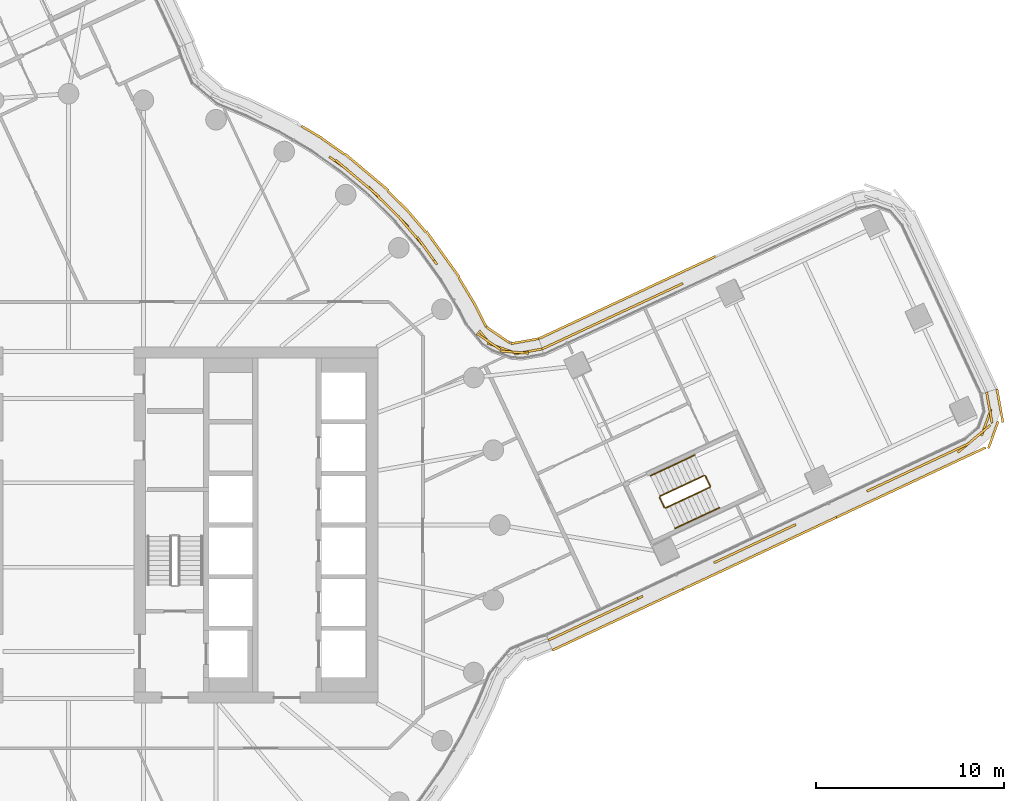
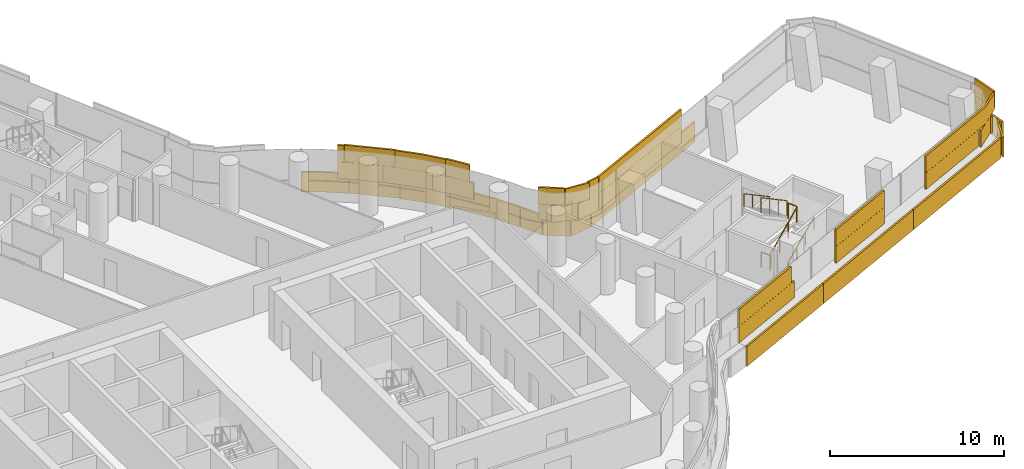
# One storey, part 33 of 36: 6 railings, 5 coverings.
"""IFC4 building model written with IfcOpenShell, lengths in metres."""

from ifc_helpers import new_model, si_unit, direction, frame, origin, origin_2d, place, context, subcontext, project, spatial, rectangle, circle, extrude, material, layer, layer_set, type_object, element, save


model = new_model("IFC4")

# Units and contexts
model_context = context("Model", 3, precision=1e-05, world=origin(), true_north=direction((0.0, 1.0)))
body_context = subcontext(model_context, "Body", "Model", "MODEL_VIEW")
ifc_project = project(units=[si_unit("LENGTHUNIT", "METRE"), si_unit("AREAUNIT", "SQUARE_METRE"), si_unit("VOLUMEUNIT", "CUBIC_METRE"), si_unit("PLANEANGLEUNIT", "RADIAN"), si_unit("MASSUNIT", "GRAM", prefix="KILO")], contexts=[model_context])

# Site, building, storey
site_placement = place(None, origin())
site = spatial("IfcSite", under=ifc_project, at=site_placement, CompositionType="ELEMENT")
building_placement = place(site_placement, origin())
building = spatial("IfcBuilding", under=site, at=building_placement, Name="Tamarind Cross Interchange Tower", CompositionType="ELEMENT")
storey_placement = place(building_placement, frame((0.0, 0.0, 124.75)))
storey = spatial("IfcBuildingStorey", under=building, at=storey_placement, Name="L30", CompositionType="ELEMENT", Elevation=124.75)

# Railings
ifc_material_1 = material(Name="Stair guard")
railing_type_1 = type_object("IfcRailingType", Name="Stair guard", PredefinedType="GUARDRAIL", material=ifc_material_1)
railing_1_placement = place(storey_placement, frame((31.84326171875, 0.9072265625, 0.17041015625)))
element("IfcRailing", 1, at=railing_1_placement, inside=storey, type_object=railing_type_1, Name="L30 ST3 stair guard 1", PredefinedType="GUARDRAIL", context=body_context, shape_type="SweptSolid", body=[
    extrude(circle(Radius=0.02392578125, at=origin_2d()), frame((0.0, 0.0, 1.076171875), z_axis=(0.75748546957, 0.354398913971, 0.548285667482), x_axis=(-0.423774578219, 0.905767689231, 0.0)), (0.0, 0.0, 1.0), 3.10888671875),
    extrude(circle(Radius=0.02099609375, at=origin_2d()), origin(), (0.0, 0.0, 1.0), 1.052001953125),
    extrude(circle(Radius=0.02099609375, at=origin_2d()), frame((0.784912109375, 0.3671875, 0.568115234375)), (0.0, 0.0, 1.0), 1.052001953125),
    extrude(circle(Radius=0.02099609375, at=origin_2d()), frame((1.570068359375, 0.734619140625, 1.136474609375)), (0.0, 0.0, 1.0), 1.052001953125),
    extrude(circle(Radius=0.02099609375, at=origin_2d()), frame((2.35498046875, 1.101806640625, 1.70458984375)), (0.0, 0.0, 1.0), 1.052001953125),
])
railing_2_placement = place(storey_placement, frame((34.222412109375, 2.075439453125, 1.875)))
element("IfcRailing", 2, at=railing_2_placement, inside=storey, type_object=railing_type_1, Name="L30 ST3 stair guard 2", PredefinedType="GUARDRAIL", context=body_context, shape_type="SweptSolid", body=[
    extrude(circle(Radius=0.02392578125, at=origin_2d()), frame((0.0, 0.0, 1.076171875), z_axis=(-0.423954307778, 0.905683578805, 0.0), x_axis=(-0.905683578805, -0.423954307778, 0.0)), (0.0, 0.0, 1.0), 0.60009765625),
    extrude(circle(Radius=0.02099609375, at=origin_2d()), origin(), (0.0, 0.0, 1.0), 1.052001953125),
    extrude(circle(Radius=0.02099609375, at=origin_2d()), frame((-0.25439453125, 0.54345703125, 0.0)), (0.0, 0.0, 1.0), 1.052001953125),
])
railing_3_placement = place(storey_placement, frame((33.901611328125, 2.64306640625, 2.04541015625)))
element("IfcRailing", 3, at=railing_3_placement, inside=storey, type_object=railing_type_1, Name="L30 ST3 stair guard 3", PredefinedType="GUARDRAIL", context=body_context, shape_type="SweptSolid", body=[
    extrude(circle(Radius=0.02392578125, at=origin_2d()), frame((0.0, 0.0, 1.076171875), z_axis=(-0.75748546957, -0.354398913971, 0.548285667482), x_axis=(0.423774578219, -0.905767689231, 0.0)), (0.0, 0.0, 1.0), 3.10888671875),
    extrude(circle(Radius=0.02099609375, at=origin_2d()), origin(), (0.0, 0.0, 1.0), 1.052001953125),
    extrude(circle(Radius=0.02099609375, at=origin_2d()), frame((-0.784912109375, -0.3671875, 0.568115234375)), (0.0, 0.0, 1.0), 1.052001953125),
    extrude(circle(Radius=0.02099609375, at=origin_2d()), frame((-1.570068359375, -0.734619140625, 1.136474609375)), (0.0, 0.0, 1.0), 1.052001953125),
    extrude(circle(Radius=0.02099609375, at=origin_2d()), frame((-2.35498046875, -1.101806640625, 1.70458984375)), (0.0, 0.0, 1.0), 1.052001953125),
])
railing_4_placement = place(storey_placement, frame((31.77685546875, 0.93115234375, 0.0)))
element("IfcRailing", 4, at=railing_4_placement, inside=storey, type_object=railing_type_1, Name="L30 ST3 stair guard 4", PredefinedType="GUARDRAIL", context=body_context, shape_type="SweptSolid", body=[
    extrude(circle(Radius=0.02392578125, at=origin_2d()), frame((0.0, 0.0, 1.076171875), z_axis=(-0.423954307778, 0.905683578805, 0.0), x_axis=(-0.905683578805, -0.423954307778, 0.0)), (0.0, 0.0, 1.0), 0.60009765625),
    extrude(circle(Radius=0.02099609375, at=origin_2d()), origin(), (0.0, 0.0, 1.0), 1.052001953125),
    extrude(circle(Radius=0.02099609375, at=origin_2d()), frame((-0.25439453125, 0.54345703125, 0.0)), (0.0, 0.0, 1.0), 1.052001953125),
])
ifc_material_2 = material(Name="Stair handrail")
railing_type_2 = type_object("IfcRailingType", Name="Stair handrail", PredefinedType="HANDRAIL", material=ifc_material_2)
railing_5_placement = place(storey_placement, frame((32.351806640625, -0.1796875, 0.17041015625)))
element("IfcRailing", 5, at=railing_5_placement, inside=storey, type_object=railing_type_2, Name="L30 ST3 stair handrail 1", PredefinedType="HANDRAIL", context=body_context, shape_type="SweptSolid", body=[
    extrude(circle(Radius=0.02392578125, at=origin_2d()), frame((0.0, 0.0, 0.8759765625), z_axis=(0.75748546957, 0.354398913971, 0.548285667482), x_axis=(-0.423774578219, 0.905767689231, 0.0)), (0.0, 0.0, 1.0), 3.10888671875),
    extrude(circle(Radius=0.02099609375, at=origin_2d()), origin(), (0.0, 0.0, 1.0), 0.851806640625),
    extrude(circle(Radius=0.02099609375, at=origin_2d()), frame((0.784912109375, 0.3671875, 0.568115234375)), (0.0, 0.0, 1.0), 0.851806640625),
    extrude(circle(Radius=0.02099609375, at=origin_2d()), frame((1.570068359375, 0.734619140625, 1.136474609375)), (0.0, 0.0, 1.0), 0.851806640625),
    extrude(circle(Radius=0.02099609375, at=origin_2d()), frame((2.35498046875, 1.101806640625, 1.70458984375)), (0.0, 0.0, 1.0), 0.851806640625),
])
railing_6_placement = place(storey_placement, frame((33.39306640625, 3.72998046875, 2.04541015625)))
element("IfcRailing", 6, at=railing_6_placement, inside=storey, type_object=railing_type_2, Name="L30 ST3 stair handrail 2", PredefinedType="HANDRAIL", context=body_context, shape_type="SweptSolid", body=[
    extrude(circle(Radius=0.02392578125, at=origin_2d()), frame((0.0, 0.0, 0.8759765625), z_axis=(-0.75748546957, -0.354398913971, 0.548285667482), x_axis=(0.423774578219, -0.905767689231, 0.0)), (0.0, 0.0, 1.0), 3.10888671875),
    extrude(circle(Radius=0.02099609375, at=origin_2d()), origin(), (0.0, 0.0, 1.0), 0.851806640625),
    extrude(circle(Radius=0.02099609375, at=origin_2d()), frame((-0.784912109375, -0.3671875, 0.568115234375)), (0.0, 0.0, 1.0), 0.851806640625),
    extrude(circle(Radius=0.02099609375, at=origin_2d()), frame((-1.570068359375, -0.734619140625, 1.136474609375)), (0.0, 0.0, 1.0), 0.851806640625),
    extrude(circle(Radius=0.02099609375, at=origin_2d()), frame((-2.35498046875, -1.101806640625, 1.70458984375)), (0.0, 0.0, 1.0), 0.851806640625),
])

# Coverings
ifc_material_3 = material(Name="Terracotta", Category="masonry")
ifc_layer = layer(ifc_material_3, 0.1201171875)
ifc_layer_set = layer_set([ifc_layer], Name="Terracotta")
covering_type = type_object("IfcCoveringType", Name="Terracotta baguette screen unit", PredefinedType="MOLDING", material=ifc_layer_set)
covering_1_placement = place(storey_placement, origin())
element("IfcCovering", 7, at=covering_1_placement, inside=storey, type_object=covering_type, Name="SCR-L30-07-00", PredefinedType="MOLDING", context=body_context, shape_type="SweptSolid", body=[
    extrude(rectangle(XDim=1.510009765625, YDim=0.1201171875, at=origin_2d()), frame((26.27490234375, -5.827392578125, 1.404052734375), z_axis=(0.0, 0.0, 1.0), x_axis=(0.905752325355, 0.423807415123, 0.0)), (0.0, 0.0, 1.0), 1.1669921875),
    extrude(rectangle(XDim=1.52001953125, YDim=0.1201171875, at=origin_2d()), frame((27.633544921875, -5.191650390625, 1.404052734375), z_axis=(0.0, 0.0, 1.0), x_axis=(0.905752325355, 0.423807415123, 0.0)), (0.0, 0.0, 1.0), 1.1669921875),
    extrude(rectangle(XDim=1.52001953125, YDim=0.1201171875, at=origin_2d()), frame((28.9921875, -4.555908203125, 1.404052734375), z_axis=(0.0, 0.0, 1.0), x_axis=(0.905752325355, 0.423807415123, 0.0)), (0.0, 0.0, 1.0), 1.1669921875),
    extrude(rectangle(XDim=1.05712890625, YDim=0.1201171875, at=origin_2d()), frame((30.145751953125, -4.016357421875, 1.404052734375), z_axis=(0.0, 0.0, 1.0), x_axis=(0.905752325355, 0.423807415123, 0.0)), (0.0, 0.0, 1.0), 1.1669921875),
    extrude(rectangle(XDim=0.760009765625, YDim=0.1201171875, at=origin_2d()), frame((25.935302734375, -5.986328125, 2.5791015625), z_axis=(0.0, 0.0, 1.0), x_axis=(0.905752325355, 0.423807415123, 0.0)), (0.0, 0.0, 1.0), 1.1669921875),
    extrude(rectangle(XDim=1.52001953125, YDim=0.1201171875, at=origin_2d()), frame((26.954345703125, -5.509521484375, 2.5791015625), z_axis=(0.0, 0.0, 1.0), x_axis=(0.905752325355, 0.423807415123, 0.0)), (0.0, 0.0, 1.0), 1.1669921875),
    extrude(rectangle(XDim=1.52001953125, YDim=0.1201171875, at=origin_2d()), frame((28.31298828125, -4.873779296875, 2.5791015625), z_axis=(0.0, 0.0, 1.0), x_axis=(0.905752325355, 0.423807415123, 0.0)), (0.0, 0.0, 1.0), 1.1669921875),
    extrude(rectangle(XDim=1.52001953125, YDim=0.1201171875, at=origin_2d()), frame((29.671630859375, -4.23828125, 2.5791015625), z_axis=(0.0, 0.0, 1.0), x_axis=(0.905752325355, 0.423807415123, 0.0)), (0.0, 0.0, 1.0), 1.1669921875),
    extrude(rectangle(XDim=1.510009765625, YDim=0.1201171875, at=origin_2d()), frame((26.48876953125, -6.361083984375, 0.00390625), z_axis=(0.0, 0.0, 1.0), x_axis=(0.905752325355, 0.423807415123, 0.0)), (0.0, 0.0, 1.0), 1.39208984375),
    extrude(rectangle(XDim=1.52001953125, YDim=0.1201171875, at=origin_2d()), frame((27.8427734375, -5.7275390625, 0.00390625), z_axis=(0.0, 0.0, 1.0), x_axis=(0.905752325355, 0.423807415123, 0.0)), (0.0, 0.0, 1.0), 1.39208984375),
    extrude(rectangle(XDim=1.52001953125, YDim=0.1201171875, at=origin_2d()), frame((29.201416015625, -5.091796875, 0.00390625), z_axis=(0.0, 0.0, 1.0), x_axis=(0.905752325355, 0.423807415123, 0.0)), (0.0, 0.0, 1.0), 1.39208984375),
    extrude(rectangle(XDim=1.52001953125, YDim=0.1201171875, at=origin_2d()), frame((30.56005859375, -4.4560546875, 0.00390625), z_axis=(0.0, 0.0, 1.0), x_axis=(0.905752325355, 0.423807415123, 0.0)), (0.0, 0.0, 1.0), 1.39208984375),
    extrude(rectangle(XDim=1.52001953125, YDim=0.1201171875, at=origin_2d()), frame((31.918701171875, -3.820556640625, 0.00390625), z_axis=(0.0, 0.0, 1.0), x_axis=(0.905752325355, 0.423807415123, 0.0)), (0.0, 0.0, 1.0), 1.39208984375),
    extrude(rectangle(XDim=0.192138671875, YDim=0.1201171875, at=origin_2d()), frame((32.676025390625, -3.466064453125, 0.00390625), z_axis=(0.0, 0.0, 1.0), x_axis=(0.905752325355, 0.423807415123, 0.0)), (0.0, 0.0, 1.0), 1.39208984375),
])
covering_2_placement = place(storey_placement, origin())
element("IfcCovering", 8, at=covering_2_placement, inside=storey, type_object=covering_type, Name="SCR-L30-07-01", PredefinedType="MOLDING", context=body_context, shape_type="SweptSolid", body=[
    extrude(rectangle(XDim=0.7626953125, YDim=0.1201171875, at=origin_2d()), frame((34.76513671875, -1.854736328125, 1.404052734375), z_axis=(0.0, 0.0, 1.0), x_axis=(0.905752325355, 0.423807415123, 0.0)), (0.0, 0.0, 1.0), 1.1669921875),
    extrude(rectangle(XDim=1.52001953125, YDim=0.1201171875, at=origin_2d()), frame((35.785400390625, -1.37744140625, 1.404052734375), z_axis=(0.0, 0.0, 1.0), x_axis=(0.905752325355, 0.423807415123, 0.0)), (0.0, 0.0, 1.0), 1.1669921875),
    extrude(rectangle(XDim=1.52001953125, YDim=0.1201171875, at=origin_2d()), frame((37.14404296875, -0.74169921875, 1.404052734375), z_axis=(0.0, 0.0, 1.0), x_axis=(0.905752325355, 0.423807415123, 0.0)), (0.0, 0.0, 1.0), 1.1669921875),
    extrude(rectangle(XDim=1.063720703125, YDim=0.1201171875, at=origin_2d()), frame((38.300537109375, -0.20068359375, 1.404052734375), z_axis=(0.0, 0.0, 1.0), x_axis=(0.905752325355, 0.423807415123, 0.0)), (0.0, 0.0, 1.0), 1.1669921875),
    extrude(rectangle(XDim=1.52001953125, YDim=0.1201171875, at=origin_2d()), frame((35.10595703125, -1.6953125, 2.5791015625), z_axis=(0.0, 0.0, 1.0), x_axis=(0.905752325355, 0.423807415123, 0.0)), (0.0, 0.0, 1.0), 1.1669921875),
    extrude(rectangle(XDim=1.52001953125, YDim=0.1201171875, at=origin_2d()), frame((36.464599609375, -1.0595703125, 2.5791015625), z_axis=(0.0, 0.0, 1.0), x_axis=(0.905752325355, 0.423807415123, 0.0)), (0.0, 0.0, 1.0), 1.1669921875),
    extrude(rectangle(XDim=1.52001953125, YDim=0.1201171875, at=origin_2d()), frame((37.8232421875, -0.423828125, 2.5791015625), z_axis=(0.0, 0.0, 1.0), x_axis=(0.905752325355, 0.423807415123, 0.0)), (0.0, 0.0, 1.0), 1.1669921875),
    extrude(rectangle(XDim=0.313720703125, YDim=0.1201171875, at=origin_2d()), frame((38.64013671875, -0.041748046875, 2.5791015625), z_axis=(0.0, 0.0, 1.0), x_axis=(0.905752325355, 0.423807415123, 0.0)), (0.0, 0.0, 1.0), 1.1669921875),
    extrude(rectangle(XDim=1.32763671875, YDim=0.1201171875, at=origin_2d()), frame((33.364501953125, -3.14404296875, 0.00390625), z_axis=(0.0, 0.0, 1.0), x_axis=(0.905752325355, 0.423807415123, 0.0)), (0.0, 0.0, 1.0), 1.39208984375),
    extrude(rectangle(XDim=1.52001953125, YDim=0.1201171875, at=origin_2d()), frame((34.635986328125, -2.549072265625, 0.00390625), z_axis=(0.0, 0.0, 1.0), x_axis=(0.905752325355, 0.423807415123, 0.0)), (0.0, 0.0, 1.0), 1.39208984375),
    extrude(rectangle(XDim=1.52001953125, YDim=0.1201171875, at=origin_2d()), frame((35.99462890625, -1.913330078125, 0.00390625), z_axis=(0.0, 0.0, 1.0), x_axis=(0.905752325355, 0.423807415123, 0.0)), (0.0, 0.0, 1.0), 1.39208984375),
    extrude(rectangle(XDim=1.52001953125, YDim=0.1201171875, at=origin_2d()), frame((37.353271484375, -1.277587890625, 0.00390625), z_axis=(0.0, 0.0, 1.0), x_axis=(0.905752325355, 0.423807415123, 0.0)), (0.0, 0.0, 1.0), 1.39208984375),
    extrude(rectangle(XDim=1.52001953125, YDim=0.1201171875, at=origin_2d()), frame((38.7119140625, -0.641845703125, 0.00390625), z_axis=(0.0, 0.0, 1.0), x_axis=(0.905752325355, 0.423807415123, 0.0)), (0.0, 0.0, 1.0), 1.39208984375),
    extrude(rectangle(XDim=1.52001953125, YDim=0.1201171875, at=origin_2d()), frame((40.070556640625, -0.006103515625, 0.00390625), z_axis=(0.0, 0.0, 1.0), x_axis=(0.905752325355, 0.423807415123, 0.0)), (0.0, 0.0, 1.0), 1.39208984375),
    extrude(rectangle(XDim=0.239990234375, YDim=0.1201171875, at=origin_2d()), frame((40.849365234375, 0.3583984375, 0.00390625), z_axis=(0.0, 0.0, 1.0), x_axis=(0.905752325355, 0.423807415123, 0.0)), (0.0, 0.0, 1.0), 1.39208984375),
])
covering_3_placement = place(storey_placement, origin())
element("IfcCovering", 9, at=covering_3_placement, inside=storey, type_object=covering_type, Name="SCR-L30-07-02", PredefinedType="MOLDING", context=body_context, shape_type="SweptSolid", body=[
    extrude(rectangle(XDim=0.75634765625, YDim=0.1201171875, at=origin_2d()), frame((42.919921875, 1.960693359375, 1.404052734375), z_axis=(0.0, 0.0, 1.0), x_axis=(0.905752325355, 0.423807415123, 0.0)), (0.0, 0.0, 1.0), 1.1669921875),
    extrude(rectangle(XDim=1.52001953125, YDim=0.1201171875, at=origin_2d()), frame((43.937255859375, 2.436767578125, 1.404052734375), z_axis=(0.0, 0.0, 1.0), x_axis=(0.905752325355, 0.423807415123, 0.0)), (0.0, 0.0, 1.0), 1.1669921875),
    extrude(rectangle(XDim=1.52001953125, YDim=0.1201171875, at=origin_2d()), frame((45.2958984375, 3.072509765625, 1.404052734375), z_axis=(0.0, 0.0, 1.0), x_axis=(0.905752325355, 0.423807415123, 0.0)), (0.0, 0.0, 1.0), 1.1669921875),
    extrude(rectangle(XDim=1.52001953125, YDim=0.1201171875, at=origin_2d()), frame((46.654296875, 3.708251953125, 1.404052734375), z_axis=(0.0, 0.0, 1.0), x_axis=(0.905752325355, 0.423807415123, 0.0)), (0.0, 0.0, 1.0), 1.1669921875),
    extrude(rectangle(XDim=1.52001953125, YDim=0.1201171875, at=origin_2d()), frame((48.005126953125, 4.3564453125, 1.404052734375), z_axis=(0.0, 0.0, 1.0), x_axis=(0.765200132793, 0.643792479588, 0.0)), (0.0, 0.0, 1.0), 1.1669921875),
    extrude(rectangle(XDim=1.52001953125, YDim=0.1201171875, at=origin_2d()), frame((48.94677734375, 5.466064453125, 1.404052734375), z_axis=(0.0, 0.0, 1.0), x_axis=(0.340786514184, 0.940140708485, 0.0)), (0.0, 0.0, 1.0), 1.1669921875),
    extrude(rectangle(XDim=0.92919921875, YDim=0.1201171875, at=origin_2d()), frame((49.04345703125, 6.63037109375, 1.404052734375), z_axis=(0.0, 0.0, 1.0), x_axis=(-0.174940575692, 0.984578993772, 0.0)), (0.0, 0.0, 1.0), 1.1669921875),
    extrude(rectangle(XDim=1.50634765625, YDim=0.1201171875, at=origin_2d()), frame((43.259521484375, 2.11962890625, 2.5791015625), z_axis=(0.0, 0.0, 1.0), x_axis=(0.905752325355, 0.423807415123, 0.0)), (0.0, 0.0, 1.0), 1.1669921875),
    extrude(rectangle(XDim=1.52001953125, YDim=0.1201171875, at=origin_2d()), frame((44.616455078125, 2.754638671875, 2.5791015625), z_axis=(0.0, 0.0, 1.0), x_axis=(0.905752325355, 0.423807415123, 0.0)), (0.0, 0.0, 1.0), 1.1669921875),
    extrude(rectangle(XDim=1.52001953125, YDim=0.1201171875, at=origin_2d()), frame((45.97509765625, 3.390380859375, 2.5791015625), z_axis=(0.0, 0.0, 1.0), x_axis=(0.905752325355, 0.423807415123, 0.0)), (0.0, 0.0, 1.0), 1.1669921875),
    extrude(rectangle(XDim=1.52001953125, YDim=0.1201171875, at=origin_2d()), frame((47.333740234375, 4.026123046875, 2.5791015625), z_axis=(0.0, 0.0, 1.0), x_axis=(0.905752325355, 0.423807415123, 0.0)), (0.0, 0.0, 1.0), 1.1669921875),
    extrude(rectangle(XDim=1.52001953125, YDim=0.1201171875, at=origin_2d()), frame((48.578857421875, 4.83935546875, 2.5791015625), z_axis=(0.0, 0.0, 1.0), x_axis=(0.765200132793, 0.643792479588, 0.0)), (0.0, 0.0, 1.0), 1.1669921875),
    extrude(rectangle(XDim=1.52001953125, YDim=0.1201171875, at=origin_2d()), frame((49.1240234375, 6.177734375, 2.5791015625), z_axis=(0.0, 0.0, 1.0), x_axis=(-0.174940575692, 0.984578993772, 0.0)), (0.0, 0.0, 1.0), 1.1669921875),
    extrude(rectangle(XDim=0.17919921875, YDim=0.1201171875, at=origin_2d()), frame((48.97802734375, 6.99951171875, 2.5791015625), z_axis=(0.0, 0.0, 1.0), x_axis=(-0.174940575692, 0.984578993772, 0.0)), (0.0, 0.0, 1.0), 1.1669921875),
    extrude(rectangle(XDim=1.27978515625, YDim=0.1201171875, at=origin_2d()), frame((41.537841796875, 0.680419921875, 0.00390625), z_axis=(0.0, 0.0, 1.0), x_axis=(0.905752325355, 0.423807415123, 0.0)), (0.0, 0.0, 1.0), 1.39208984375),
    extrude(rectangle(XDim=1.52001953125, YDim=0.1201171875, at=origin_2d()), frame((42.787841796875, 1.26513671875, 0.00390625), z_axis=(0.0, 0.0, 1.0), x_axis=(0.905752325355, 0.423807415123, 0.0)), (0.0, 0.0, 1.0), 1.39208984375),
    extrude(rectangle(XDim=1.52001953125, YDim=0.1201171875, at=origin_2d()), frame((44.146240234375, 1.90087890625, 0.00390625), z_axis=(0.0, 0.0, 1.0), x_axis=(0.905752325355, 0.423807415123, 0.0)), (0.0, 0.0, 1.0), 1.39208984375),
    extrude(rectangle(XDim=1.52001953125, YDim=0.1201171875, at=origin_2d()), frame((45.5048828125, 2.53662109375, 0.00390625), z_axis=(0.0, 0.0, 1.0), x_axis=(0.905752325355, 0.423807415123, 0.0)), (0.0, 0.0, 1.0), 1.39208984375),
    extrude(rectangle(XDim=1.52001953125, YDim=0.1201171875, at=origin_2d()), frame((46.863525390625, 3.17236328125, 0.00390625), z_axis=(0.0, 0.0, 1.0), x_axis=(0.905752325355, 0.423807415123, 0.0)), (0.0, 0.0, 1.0), 1.39208984375),
    extrude(rectangle(XDim=1.52001953125, YDim=0.1201171875, at=origin_2d()), frame((48.22216796875, 3.80810546875, 0.00390625), z_axis=(0.0, 0.0, 1.0), x_axis=(0.905752325355, 0.423807415123, 0.0)), (0.0, 0.0, 1.0), 1.39208984375),
    extrude(rectangle(XDim=1.52001953125, YDim=0.1201171875, at=origin_2d()), frame((49.3173828125, 4.8037109375, 0.00390625), z_axis=(0.0, 0.0, 1.0), x_axis=(0.340786514184, 0.940140708485, 0.0)), (0.0, 0.0, 1.0), 1.39208984375),
    extrude(rectangle(XDim=1.52001953125, YDim=0.1201171875, at=origin_2d()), frame((49.698486328125, 6.22509765625, 0.00390625), z_axis=(0.0, 0.0, 1.0), x_axis=(-0.174940575692, 0.984578993772, 0.0)), (0.0, 0.0, 1.0), 1.39208984375),
    extrude(rectangle(XDim=0.308837890625, YDim=0.1201171875, at=origin_2d()), frame((49.5419921875, 7.105712890625, 0.00390625), z_axis=(0.0, 0.0, 1.0), x_axis=(-0.174940575692, 0.984578993772, 0.0)), (0.0, 0.0, 1.0), 1.39208984375),
])
covering_4_placement = place(storey_placement, origin())
element("IfcCovering", 10, at=covering_4_placement, inside=storey, type_object=covering_type, Name="SCR-L30-09-01", PredefinedType="MOLDING", context=body_context, shape_type="SweptSolid", body=[
    extrude(rectangle(XDim=0.376220703125, YDim=0.1201171875, at=origin_2d()), frame((32.599609375, 12.807861328125, 1.404052734375), z_axis=(0.0, 0.0, 1.0), x_axis=(-0.906515024732, -0.422173554282, 0.0)), (0.0, 0.0, 1.0), 1.1669921875),
    extrude(rectangle(XDim=1.52001953125, YDim=0.1201171875, at=origin_2d()), frame((31.75390625, 12.4140625, 1.404052734375), z_axis=(0.0, 0.0, 1.0), x_axis=(-0.906515024732, -0.422173554282, 0.0)), (0.0, 0.0, 1.0), 1.1669921875),
    extrude(rectangle(XDim=1.52001953125, YDim=0.1201171875, at=origin_2d()), frame((30.39404296875, 11.78076171875, 1.404052734375), z_axis=(0.0, 0.0, 1.0), x_axis=(-0.906515024732, -0.422173554282, 0.0)), (0.0, 0.0, 1.0), 1.1669921875),
    extrude(rectangle(XDim=1.52001953125, YDim=0.1201171875, at=origin_2d()), frame((29.0341796875, 11.1474609375, 1.404052734375), z_axis=(0.0, 0.0, 1.0), x_axis=(-0.906515024732, -0.422173554282, 0.0)), (0.0, 0.0, 1.0), 1.1669921875),
    extrude(rectangle(XDim=1.52001953125, YDim=0.1201171875, at=origin_2d()), frame((27.674560546875, 10.51416015625, 1.404052734375), z_axis=(0.0, 0.0, 1.0), x_axis=(-0.906515024732, -0.422173554282, 0.0)), (0.0, 0.0, 1.0), 1.1669921875),
    extrude(rectangle(XDim=1.52001953125, YDim=0.1201171875, at=origin_2d()), frame((26.314697265625, 9.880859375, 1.404052734375), z_axis=(0.0, 0.0, 1.0), x_axis=(-0.906515024732, -0.422173554282, 0.0)), (0.0, 0.0, 1.0), 1.1669921875),
    extrude(rectangle(XDim=0.423828125, YDim=0.1201171875, at=origin_2d()), frame((25.447265625, 9.47705078125, 1.404052734375), z_axis=(0.0, 0.0, 1.0), x_axis=(-0.906515024732, -0.422173554282, 0.0)), (0.0, 0.0, 1.0), 1.1669921875),
    extrude(rectangle(XDim=1.126220703125, YDim=0.1201171875, at=origin_2d()), frame((32.259765625, 12.649658203125, 2.5791015625), z_axis=(0.0, 0.0, 1.0), x_axis=(-0.906515024732, -0.422173554282, 0.0)), (0.0, 0.0, 1.0), 1.1669921875),
    extrude(rectangle(XDim=1.52001953125, YDim=0.1201171875, at=origin_2d()), frame((31.073974609375, 12.097412109375, 2.5791015625), z_axis=(0.0, 0.0, 1.0), x_axis=(-0.906515024732, -0.422173554282, 0.0)), (0.0, 0.0, 1.0), 1.1669921875),
    extrude(rectangle(XDim=1.52001953125, YDim=0.1201171875, at=origin_2d()), frame((29.714111328125, 11.464111328125, 2.5791015625), z_axis=(0.0, 0.0, 1.0), x_axis=(-0.906515024732, -0.422173554282, 0.0)), (0.0, 0.0, 1.0), 1.1669921875),
    extrude(rectangle(XDim=1.52001953125, YDim=0.1201171875, at=origin_2d()), frame((28.3544921875, 10.830810546875, 2.5791015625), z_axis=(0.0, 0.0, 1.0), x_axis=(-0.906515024732, -0.422173554282, 0.0)), (0.0, 0.0, 1.0), 1.1669921875),
    extrude(rectangle(XDim=1.52001953125, YDim=0.1201171875, at=origin_2d()), frame((26.99462890625, 10.197509765625, 2.5791015625), z_axis=(0.0, 0.0, 1.0), x_axis=(-0.906515024732, -0.422173554282, 0.0)), (0.0, 0.0, 1.0), 1.1669921875),
    extrude(rectangle(XDim=1.173828125, YDim=0.1201171875, at=origin_2d()), frame((25.787109375, 9.63525390625, 2.5791015625), z_axis=(0.0, 0.0, 1.0), x_axis=(-0.906515024732, -0.422173554282, 0.0)), (0.0, 0.0, 1.0), 1.1669921875),
    extrude(rectangle(XDim=0.975830078125, YDim=0.1201171875, at=origin_2d()), frame((34.052490234375, 14.11767578125, 0.00390625), z_axis=(0.0, 0.0, 1.0), x_axis=(-0.906515024732, -0.422173554282, 0.0)), (0.0, 0.0, 1.0), 1.39208984375),
    extrude(rectangle(XDim=1.52001953125, YDim=0.1201171875, at=origin_2d()), frame((32.939208984375, 13.599365234375, 0.00390625), z_axis=(0.0, 0.0, 1.0), x_axis=(-0.906515024732, -0.422173554282, 0.0)), (0.0, 0.0, 1.0), 1.39208984375),
    extrude(rectangle(XDim=1.52001953125, YDim=0.1201171875, at=origin_2d()), frame((31.57958984375, 12.966064453125, 0.00390625), z_axis=(0.0, 0.0, 1.0), x_axis=(-0.906515024732, -0.422173554282, 0.0)), (0.0, 0.0, 1.0), 1.39208984375),
    extrude(rectangle(XDim=1.52001953125, YDim=0.1201171875, at=origin_2d()), frame((30.2197265625, 12.332763671875, 0.00390625), z_axis=(0.0, 0.0, 1.0), x_axis=(-0.906515024732, -0.422173554282, 0.0)), (0.0, 0.0, 1.0), 1.39208984375),
    extrude(rectangle(XDim=1.52001953125, YDim=0.1201171875, at=origin_2d()), frame((28.85986328125, 11.699462890625, 0.00390625), z_axis=(0.0, 0.0, 1.0), x_axis=(-0.906515024732, -0.422173554282, 0.0)), (0.0, 0.0, 1.0), 1.39208984375),
    extrude(rectangle(XDim=1.52001953125, YDim=0.1201171875, at=origin_2d()), frame((27.500244140625, 11.066162109375, 0.00390625), z_axis=(0.0, 0.0, 1.0), x_axis=(-0.906515024732, -0.422173554282, 0.0)), (0.0, 0.0, 1.0), 1.39208984375),
    extrude(rectangle(XDim=1.52001953125, YDim=0.1201171875, at=origin_2d()), frame((26.140380859375, 10.432861328125, 0.00390625), z_axis=(0.0, 0.0, 1.0), x_axis=(-0.906515024732, -0.422173554282, 0.0)), (0.0, 0.0, 1.0), 1.39208984375),
    extrude(rectangle(XDim=0.4248046875, YDim=0.1201171875, at=origin_2d()), frame((25.277099609375, 10.031005859375, 0.00390625), z_axis=(0.0, 0.0, 1.0), x_axis=(-0.906515024732, -0.422173554282, 0.0)), (0.0, 0.0, 1.0), 1.39208984375),
])
covering_5_placement = place(storey_placement, origin())
element("IfcCovering", 11, at=covering_5_placement, inside=storey, type_object=covering_type, Name="SCR-L30-10-00", PredefinedType="MOLDING", context=body_context, shape_type="SweptSolid", body=[
    extrude(rectangle(XDim=1.510009765625, YDim=0.1201171875, at=origin_2d()), frame((24.521484375, 9.25634765625, 1.404052734375), z_axis=(0.0, 0.0, 1.0), x_axis=(-0.984077617934, -0.177739252505, 0.0)), (0.0, 0.0, 1.0), 1.1669921875),
    extrude(rectangle(XDim=1.52001953125, YDim=0.1201171875, at=origin_2d()), frame((23.06591796875, 9.44384765625, 1.404052734375), z_axis=(0.0, 0.0, 1.0), x_axis=(-0.943013279713, 0.332755096556, 0.0)), (0.0, 0.0, 1.0), 1.1669921875),
    extrude(rectangle(XDim=0.78173828125, YDim=0.1201171875, at=origin_2d()), frame((22.146240234375, 10.06884765625, 1.404052734375), z_axis=(0.0, 0.0, 1.0), x_axis=(-0.636515529279, 0.771263885441, 0.0)), (0.0, 0.0, 1.0), 1.1669921875),
    extrude(rectangle(XDim=1.0380859375, YDim=0.1201171875, at=origin_2d()), frame((19.34716796875, 14.3154296875, 1.404052734375), z_axis=(0.0, 0.0, 1.0), x_axis=(-0.584573890505, 0.811340475102, 0.0)), (0.0, 0.0, 1.0), 1.1669921875),
    extrude(rectangle(XDim=1.52001953125, YDim=0.1201171875, at=origin_2d()), frame((18.57080078125, 15.3115234375, 1.404052734375), z_axis=(0.0, 0.0, 1.0), x_axis=(-0.64957723968, 0.760295606781, 0.0)), (0.0, 0.0, 1.0), 1.1669921875),
    extrude(rectangle(XDim=1.52001953125, YDim=0.1201171875, at=origin_2d()), frame((17.591552734375, 16.447509765625, 1.404052734375), z_axis=(0.0, 0.0, 1.0), x_axis=(-0.710143317658, 0.704057148523, 0.0)), (0.0, 0.0, 1.0), 1.1669921875),
    extrude(rectangle(XDim=1.52001953125, YDim=0.1201171875, at=origin_2d()), frame((16.5263671875, 17.50341796875, 1.404052734375), z_axis=(0.0, 0.0, 1.0), x_axis=(-0.710143317658, 0.704057148523, 0.0)), (0.0, 0.0, 1.0), 1.1669921875),
    extrude(rectangle(XDim=1.52001953125, YDim=0.1201171875, at=origin_2d()), frame((15.400146484375, 18.492919921875, 1.404052734375), z_axis=(0.0, 0.0, 1.0), x_axis=(-0.765858396687, 0.643009266048, 0.0)), (0.0, 0.0, 1.0), 1.1669921875),
    extrude(rectangle(XDim=1.14013671875, YDim=0.1201171875, at=origin_2d()), frame((14.3720703125, 19.311279296875, 1.404052734375), z_axis=(0.0, 0.0, 1.0), x_axis=(-0.816341886298, 0.577568978284, 0.0)), (0.0, 0.0, 1.0), 1.1669921875),
    extrude(rectangle(XDim=0.760009765625, YDim=0.1201171875, at=origin_2d()), frame((24.890625, 9.322998046875, 2.5791015625), z_axis=(0.0, 0.0, 1.0), x_axis=(-0.984077617934, -0.177739252505, 0.0)), (0.0, 0.0, 1.0), 1.1669921875),
    extrude(rectangle(XDim=1.52001953125, YDim=0.1201171875, at=origin_2d()), frame((23.77880859375, 9.22021484375, 2.5791015625), z_axis=(0.0, 0.0, 1.0), x_axis=(-0.99678029277, 0.080181344121, 0.0)), (0.0, 0.0, 1.0), 1.1669921875),
    extrude(rectangle(XDim=1.52001953125, YDim=0.1201171875, at=origin_2d()), frame((22.406005859375, 9.78662109375, 2.5791015625), z_axis=(0.0, 0.0, 1.0), x_axis=(-0.826361999355, 0.56313927764, 0.0)), (0.0, 0.0, 1.0), 1.1669921875),
    extrude(rectangle(XDim=1.52001953125, YDim=0.1201171875, at=origin_2d()), frame((19.046630859375, 14.732421875, 2.5791015625), z_axis=(0.0, 0.0, 1.0), x_axis=(-0.584573890505, 0.811340475102, 0.0)), (0.0, 0.0, 1.0), 1.1669921875),
    extrude(rectangle(XDim=1.52001953125, YDim=0.1201171875, at=origin_2d()), frame((18.083740234375, 15.8818359375, 2.5791015625), z_axis=(0.0, 0.0, 1.0), x_axis=(-0.64957723968, 0.760295606781, 0.0)), (0.0, 0.0, 1.0), 1.1669921875),
    extrude(rectangle(XDim=1.52001953125, YDim=0.1201171875, at=origin_2d()), frame((17.058837890625, 16.9755859375, 2.5791015625), z_axis=(0.0, 0.0, 1.0), x_axis=(-0.710143317658, 0.704057148523, 0.0)), (0.0, 0.0, 1.0), 1.1669921875),
    extrude(rectangle(XDim=1.52001953125, YDim=0.1201171875, at=origin_2d()), frame((15.974609375, 18.0107421875, 2.5791015625), z_axis=(0.0, 0.0, 1.0), x_axis=(-0.765858396687, 0.643009266048, 0.0)), (0.0, 0.0, 1.0), 1.1669921875),
    extrude(rectangle(XDim=1.52001953125, YDim=0.1201171875, at=origin_2d()), frame((14.825927734375, 18.97509765625, 2.5791015625), z_axis=(0.0, 0.0, 1.0), x_axis=(-0.765858396687, 0.643009266048, 0.0)), (0.0, 0.0, 1.0), 1.1669921875),
    extrude(rectangle(XDim=0.39013671875, YDim=0.1201171875, at=origin_2d()), frame((14.06591796875, 19.52783203125, 2.5791015625), z_axis=(0.0, 0.0, 1.0), x_axis=(-0.816341886298, 0.577568978284, 0.0)), (0.0, 0.0, 1.0), 1.1669921875),
    extrude(rectangle(XDim=1.510009765625, YDim=0.1201171875, at=origin_2d()), frame((24.341552734375, 9.80712890625, 0.00390625), z_axis=(0.0, 0.0, 1.0), x_axis=(-0.984077617934, -0.177739252505, 0.0)), (0.0, 0.0, 1.0), 1.39208984375),
    extrude(rectangle(XDim=1.52001953125, YDim=0.1201171875, at=origin_2d()), frame((22.9169921875, 10.1328125, 0.00390625), z_axis=(0.0, 0.0, 1.0), x_axis=(-0.826361999355, 0.56313927764, 0.0)), (0.0, 0.0, 1.0), 1.39208984375),
    extrude(rectangle(XDim=1.52001953125, YDim=0.1201171875, at=origin_2d()), frame((21.929443359375, 11.249755859375, 0.00390625), z_axis=(0.0, 0.0, 1.0), x_axis=(-0.449403437946, 0.893328914769, 0.0)), (0.0, 0.0, 1.0), 1.39208984375),
    extrude(rectangle(XDim=1.52001953125, YDim=0.1201171875, at=origin_2d()), frame((21.19921875, 12.558837890625, 0.00390625), z_axis=(0.0, 0.0, 1.0), x_axis=(-0.515577308909, 0.856843065292, 0.0)), (0.0, 0.0, 1.0), 1.39208984375),
    extrude(rectangle(XDim=1.52001953125, YDim=0.1201171875, at=origin_2d()), frame((20.404296875, 13.829833984375, 0.00390625), z_axis=(0.0, 0.0, 1.0), x_axis=(-0.584573890505, 0.811340475102, 0.0)), (0.0, 0.0, 1.0), 1.39208984375),
    extrude(rectangle(XDim=1.52001953125, YDim=0.1201171875, at=origin_2d()), frame((19.52734375, 15.046875, 0.00390625), z_axis=(0.0, 0.0, 1.0), x_axis=(-0.584573890505, 0.811340475102, 0.0)), (0.0, 0.0, 1.0), 1.39208984375),
    extrude(rectangle(XDim=1.52001953125, YDim=0.1201171875, at=origin_2d()), frame((18.56787109375, 16.198974609375, 0.00390625), z_axis=(0.0, 0.0, 1.0), x_axis=(-0.64957723968, 0.760295606781, 0.0)), (0.0, 0.0, 1.0), 1.39208984375),
    extrude(rectangle(XDim=1.52001953125, YDim=0.1201171875, at=origin_2d()), frame((17.548828125, 17.298095703125, 0.00390625), z_axis=(0.0, 0.0, 1.0), x_axis=(-0.710143317658, 0.704057148523, 0.0)), (0.0, 0.0, 1.0), 1.39208984375),
    extrude(rectangle(XDim=1.52001953125, YDim=0.1201171875, at=origin_2d()), frame((16.47265625, 18.342041015625, 0.00390625), z_axis=(0.0, 0.0, 1.0), x_axis=(-0.765858396687, 0.643009266048, 0.0)), (0.0, 0.0, 1.0), 1.39208984375),
    extrude(rectangle(XDim=1.52001953125, YDim=0.1201171875, at=origin_2d()), frame((15.32373046875, 19.306640625, 0.00390625), z_axis=(0.0, 0.0, 1.0), x_axis=(-0.765858396687, 0.643009266048, 0.0)), (0.0, 0.0, 1.0), 1.39208984375),
    extrude(rectangle(XDim=1.52001953125, YDim=0.1201171875, at=origin_2d()), frame((14.116455078125, 20.1953125, 0.00390625), z_axis=(0.0, 0.0, 1.0), x_axis=(-0.816341886298, 0.577568978284, 0.0)), (0.0, 0.0, 1.0), 1.39208984375),
    extrude(rectangle(XDim=1.255859375, YDim=0.1201171875, at=origin_2d()), frame((12.977783203125, 20.951416015625, 0.00390625), z_axis=(0.0, 0.0, 1.0), x_axis=(-0.861248933065, 0.508183308752, 0.0)), (0.0, 0.0, 1.0), 1.39208984375),
])

save(model, "model.ifc")
